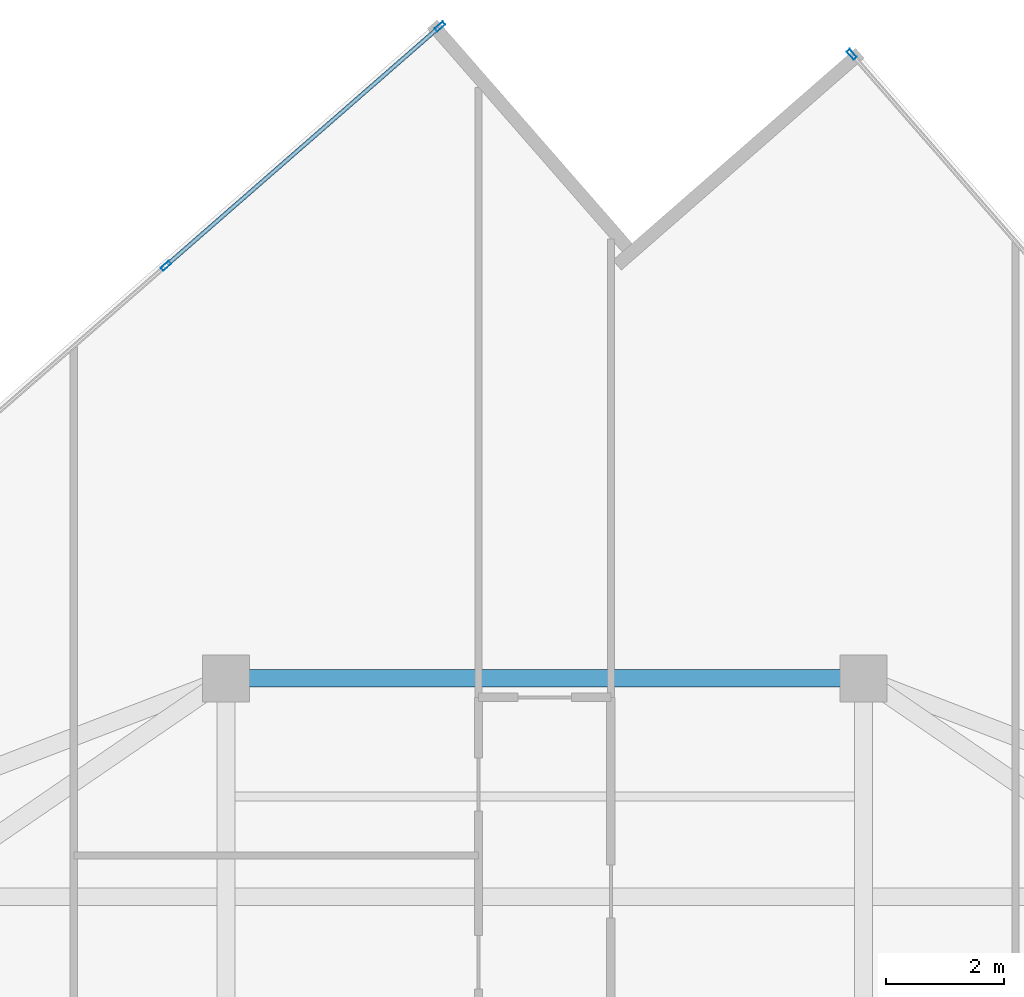
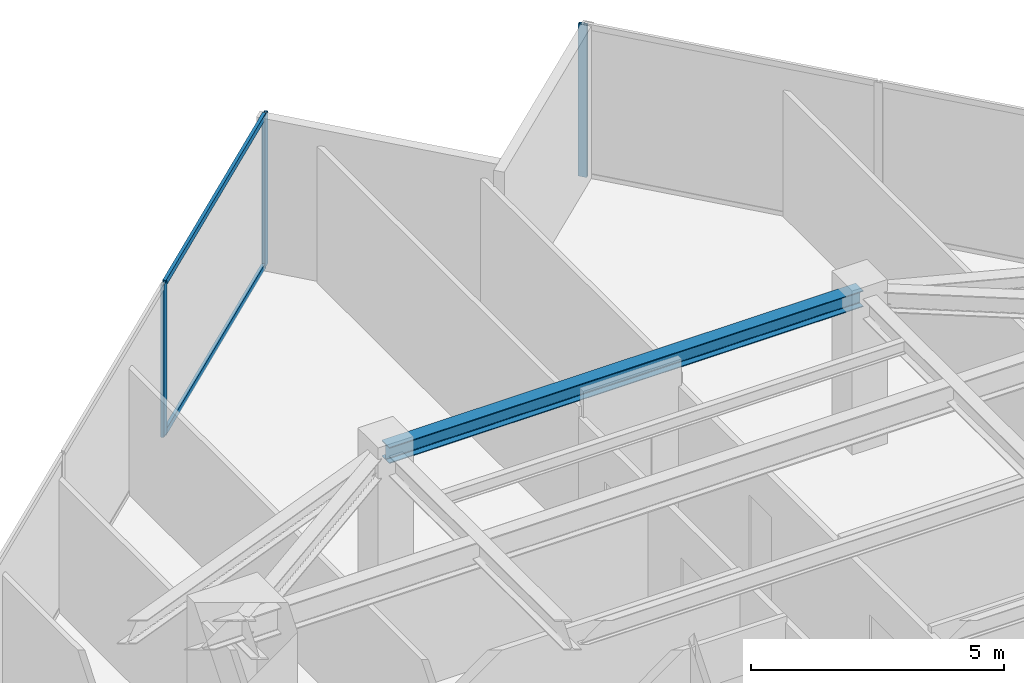
# One storey, part 16 of 24: 5 members, 1 beam, 2 elements without a shape of their own.
"""IFC4 building model written with IfcOpenShell, lengths in metres."""

from ifc_helpers import new_model, si_unit, direction, frame, origin, origin_2d, place, context, subcontext, project, spatial, hollow_rectangle, i_section, extrude, source, transform, mapped, material, material_profile, profile_set, type_object, type_shapes, element, aggregate, save


model = new_model("IFC4")

# Units and contexts
model_context = context("Model", 3, precision=1e-05, world=origin(), true_north=direction((0.0, 1.0)))
body_context = subcontext(model_context, "Body", "Model", "MODEL_VIEW")
ifc_project = project(units=[si_unit("LENGTHUNIT", "METRE"), si_unit("AREAUNIT", "SQUARE_METRE"), si_unit("VOLUMEUNIT", "CUBIC_METRE"), si_unit("PLANEANGLEUNIT", "RADIAN"), si_unit("MASSUNIT", "GRAM", prefix="KILO")], contexts=[model_context])

# Site, building, storey
site_placement = place(None, origin())
site = spatial("IfcSite", under=ifc_project, at=site_placement, CompositionType="ELEMENT")
building_placement = place(site_placement, origin())
building = spatial("IfcBuilding", under=site, at=building_placement, Name="Krantzveldt Concourse Tower", CompositionType="ELEMENT")
storey_placement = place(building_placement, frame((0.0, 0.0, 254.699951171875)))
storey = spatial("IfcBuildingStorey", under=building, at=storey_placement, Name="L62", CompositionType="ELEMENT", Elevation=254.699951171875)

# Beam
ifc_material_1 = material(Name="Steel S355JR", Category="steel")
ifc_material_profile_1 = material_profile(ifc_material_1, i_section(OverallWidth=0.300048828125, OverallDepth=0.389892578125, WebThickness=0.010986328125, FlangeThickness=0.01904296875, FilletRadius=0.027099609375, at=origin_2d()), Name="Steel S355JR", Category="steel")
ifc_profile_set_1 = profile_set([ifc_material_profile_1], Name="Steel S355JR - HEA 400")
beam_type = type_object("IfcBeamType", Name="BM-SP-HEA400", PredefinedType="SPANDREL", material=ifc_profile_set_1)
shared_shape_1 = source(origin(), body_context, "Body", "SweptSolid", [
    extrude(i_section(OverallWidth=0.300048828125, OverallDepth=0.389892578125, WebThickness=0.010986328125, FlangeThickness=0.01904296875, FilletRadius=0.027099609375, at=origin_2d()), origin(), (0.0, 0.0, 1.0), 10.7998046875),
])
type_shapes(beam_type, [shared_shape_1])
beam_placement = place(storey_placement, frame((30.60009765625, 41.199951171875, 3.47509765625), z_axis=(1.0, 0.0, 0.0), x_axis=(0.0, 1.0, 0.0)))
element("IfcBeam", 1, at=beam_placement, inside=storey, type_object=beam_type, Name="L62 Tower Girder SP-R04", PredefinedType="SPANDREL", context=body_context, shape_type="MappedRepresentation", body=[
    mapped(shared_shape_1, transform((0.0, 0.0, 0.0), x_axis=(1.0, 0.0, 0.0), y_axis=(0.0, 1.0, 0.0), z_axis=(0.0, 0.0, 1.0), scale=1.0)),
])

# Curtain wall, members
ifc_material_2 = material(Name="Anodised aluminium 6063-T6", Category="aluminium")
curtain_wall_type = type_object("IfcCurtainWallType", Name="CW3", PredefinedType="USERDEFINED", material=ifc_material_2)
curtain_wall_1_placement = place(storey_placement, origin())
curtain_wall_1 = element("IfcCurtainWall", 2, at=curtain_wall_1_placement, inside=storey, type_object=curtain_wall_type, Name="CW-L62-F01", ObjectType="UNITISED CURTAIN WALL", PredefinedType="USERDEFINED")
ifc_material_profile_2 = material_profile(ifc_material_2, hollow_rectangle(XDim=0.070068359375, YDim=0.179931640625, WallThickness=0.0048828125, at=origin_2d()), Name="Anodised aluminium 6063-T6", Category="aluminium")
ifc_profile_set_2 = profile_set([ifc_material_profile_2], Name="Anodised aluminium 6063-T6 - ALU-MULL 180x70x5")
member_type_1 = type_object("IfcMemberType", Name="CW-MUL-180", PredefinedType="MULLION", material=ifc_profile_set_2)
shared_shape_2 = source(origin(), body_context, "Body", "SweptSolid", [
    extrude(hollow_rectangle(XDim=0.070068359375, YDim=0.179931640625, WallThickness=0.0048828125, at=origin_2d()), origin(), (0.0, 0.0, 1.0), 3.670166015625),
])
type_shapes(member_type_1, [shared_shape_2])
member_1_placement = place(storey_placement, frame((34.2255859375, 52.245849609375, 0.0), z_axis=(0.0, 0.0, 1.0), x_axis=(0.657703938567, -0.753276529034, 0.0)))
member_1 = element("IfcMember", 3, at=member_1_placement, type_object=member_type_1, Name="CW-Z34 mullion 1", PredefinedType="MULLION", context=body_context, shape_type="MappedRepresentation", body=[
    mapped(shared_shape_2, transform((0.0, 0.0, 0.0), x_axis=(1.0, 0.0, 0.0), y_axis=(0.0, 1.0, 0.0), z_axis=(0.0, 0.0, 1.0), scale=1.0)),
])
member_2_placement = place(storey_placement, frame((29.581787109375, 48.19091796875, 0.0), z_axis=(0.0, 0.0, 1.0), x_axis=(0.657703938567, -0.753276529034, 0.0)))
member_2 = element("IfcMember", 4, at=member_2_placement, type_object=member_type_1, Name="CW-Z34 mullion 2", PredefinedType="MULLION", context=body_context, shape_type="MappedRepresentation", body=[
    mapped(shared_shape_2, transform((0.0, 0.0, 0.0), x_axis=(1.0, 0.0, 0.0), y_axis=(0.0, 1.0, 0.0), z_axis=(0.0, 0.0, 1.0), scale=1.0)),
])

# Curtain wall, member
curtain_wall_2_placement = place(storey_placement, origin())
curtain_wall_2 = element("IfcCurtainWall", 5, at=curtain_wall_2_placement, inside=storey, type_object=curtain_wall_type, Name="CW-L62-F10", ObjectType="UNITISED CURTAIN WALL", PredefinedType="USERDEFINED")
member_3_placement = place(storey_placement, frame((41.202880859375, 51.773193359375, 0.0), z_axis=(0.0, 0.0, 1.0), x_axis=(-0.753276529034, -0.657703938567, 0.0)))
member_3 = element("IfcMember", 6, at=member_3_placement, type_object=member_type_1, Name="CW-Z34 mullion 6", PredefinedType="MULLION", context=body_context, shape_type="MappedRepresentation", body=[
    mapped(shared_shape_2, transform((0.0, 0.0, 0.0), x_axis=(1.0, 0.0, 0.0), y_axis=(0.0, 1.0, 0.0), z_axis=(0.0, 0.0, 1.0), scale=1.0)),
])
aggregate(curtain_wall_2, [member_3])

# Member
ifc_material_profile_3 = material_profile(ifc_material_2, hollow_rectangle(XDim=0.070068359375, YDim=0.139892578125, WallThickness=0.0048828125, at=origin_2d()), Name="Anodised aluminium 6063-T6", Category="aluminium")
ifc_profile_set_3 = profile_set([ifc_material_profile_3], Name="Anodised aluminium 6063-T6 - ALU-TRAN 140x70x5")
member_type_2 = type_object("IfcMemberType", Name="CW-TRN-150", PredefinedType="USERDEFINED", material=ifc_profile_set_3)
shared_shape_3 = source(origin(), body_context, "Body", "SweptSolid", [
    extrude(hollow_rectangle(XDim=0.070068359375, YDim=0.139892578125, WallThickness=0.0048828125, at=origin_2d()), origin(), (0.0, 0.0, 1.0), 6.0947265625),
])
type_shapes(member_type_2, [shared_shape_3])
member_4_placement = place(storey_placement, frame((34.19921875, 52.22265625, 0.03515625), z_axis=(-0.753278511151, -0.657701668417, 0.0), x_axis=(0.657701668417, -0.753278511151, 0.0)))
member_4 = element("IfcMember", 7, at=member_4_placement, type_object=member_type_2, Name="CW-Z34 transom 1.1", ObjectType="TRANSOM", PredefinedType="USERDEFINED", context=body_context, shape_type="MappedRepresentation", body=[
    mapped(shared_shape_3, transform((0.0, 0.0, 0.0), x_axis=(1.0, 0.0, 0.0), y_axis=(0.0, 1.0, 0.0), z_axis=(0.0, 0.0, 1.0), scale=1.0)),
])

member_5_placement = place(storey_placement, frame((34.19921875, 52.22265625, 3.635009765625), z_axis=(-0.753278511151, -0.657701668417, 0.0), x_axis=(0.657701668417, -0.753278511151, 0.0)))
member_5 = element("IfcMember", 8, at=member_5_placement, type_object=member_type_2, Name="CW-Z34 transom 1.2", ObjectType="TRANSOM", PredefinedType="USERDEFINED", context=body_context, shape_type="MappedRepresentation", body=[
    mapped(shared_shape_3, transform((0.0, 0.0, 0.0), x_axis=(1.0, 0.0, 0.0), y_axis=(0.0, 1.0, 0.0), z_axis=(0.0, 0.0, 1.0), scale=1.0)),
])

aggregate(curtain_wall_1, [member_1, member_2, member_4, member_5])

save(model, "model.ifc")
